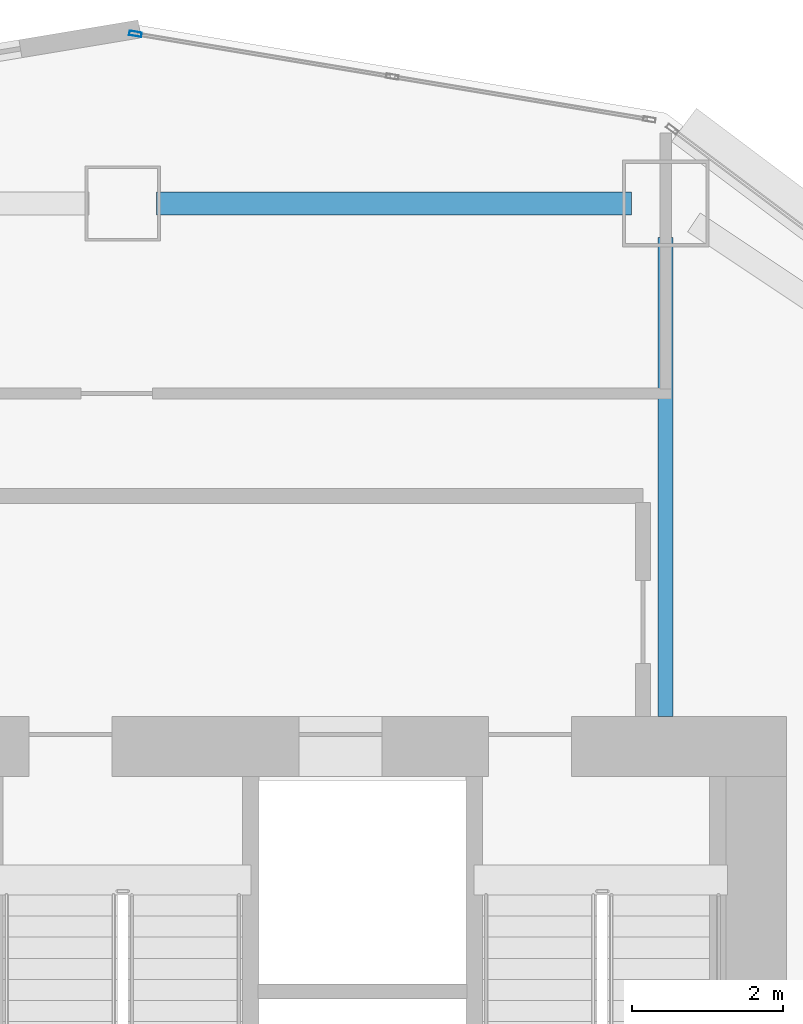
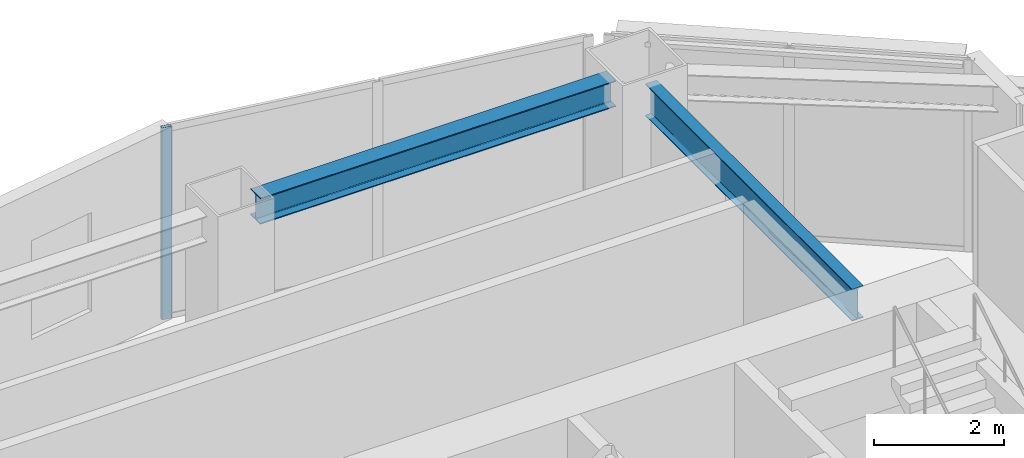
# One storey, part 2 of 17: 2 beams, 1 member, 1 element without a shape of its own.
"""IFC4 building model written with IfcOpenShell, lengths in metres."""

from ifc_helpers import new_model, si_unit, direction, frame, origin, origin_2d, place, context, subcontext, project, spatial, hollow_rectangle, i_section, extrude, material, layer, layer_set, material_profile, profile_set, type_object, element, aggregate, save


model = new_model("IFC4")

# Units and contexts
model_context = context("Model", 3, precision=1e-05, world=origin(), true_north=direction((0.0, 1.0)))
body_context = subcontext(model_context, "Body", "Model", "MODEL_VIEW")
ifc_project = project(units=[si_unit("LENGTHUNIT", "METRE"), si_unit("AREAUNIT", "SQUARE_METRE"), si_unit("VOLUMEUNIT", "CUBIC_METRE"), si_unit("PLANEANGLEUNIT", "RADIAN"), si_unit("MASSUNIT", "GRAM", prefix="KILO")], contexts=[model_context])

# Site, building, storey
site_placement = place(None, origin())
site = spatial("IfcSite", under=ifc_project, at=site_placement, CompositionType="ELEMENT")
building_placement = place(site_placement, origin())
building = spatial("IfcBuilding", under=site, at=building_placement, Name="Haolan Belvedere Tower", CompositionType="ELEMENT")
storey_placement = place(building_placement, frame((0.0, 0.0, 55.199951171875)))
storey = spatial("IfcBuildingStorey", under=building, at=storey_placement, Name="L13", CompositionType="ELEMENT", Elevation=55.199951171875)

# Beams
ifc_material_1 = material(Name="Steel Q355B", Category="steel")
ifc_material_profile_1 = material_profile(ifc_material_1, i_section(OverallWidth=0.300048828125, OverallDepth=0.488037109375, WebThickness=0.010986328125, FlangeThickness=0.01806640625, FilletRadius=0.02587890625, at=origin_2d()), Name="Steel Q355B")
ifc_profile_set_1 = profile_set([ifc_material_profile_1], Name="Steel Q355B")
beam_type_1 = type_object("IfcBeamType", Name="BM-HM488x300x11x18", PredefinedType="SPANDREL", material=ifc_profile_set_1)
beam_1_placement = place(storey_placement, frame((38.85009765625, 50.39990234375, 3.35595703125), z_axis=(1.0, 0.0, 0.0), x_axis=(0.0, 1.0, 0.0)))
element("IfcBeam", 1, at=beam_1_placement, inside=storey, type_object=beam_type_1, Name="L13 spandrel girder TC-T3-NM-MC-T3-N2", PredefinedType="SPANDREL", context=body_context, shape_type="SweptSolid", body=[
    extrude(i_section(OverallWidth=0.300048828125, OverallDepth=0.488037109375, WebThickness=0.010986328125, FlangeThickness=0.01806640625, FilletRadius=0.02587890625, at=origin_2d()), origin(), (0.0, 0.0, 1.0), 6.2998046875),
])
ifc_material_profile_2 = material_profile(ifc_material_1, i_section(OverallWidth=0.199951171875, OverallDepth=0.60009765625, WebThickness=0.010986328125, FlangeThickness=0.01708984375, FilletRadius=0.02197265625, at=origin_2d()), Name="Steel Q355B")
ifc_profile_set_2 = profile_set([ifc_material_profile_2], Name="Steel Q355B")
beam_type_2 = type_object("IfcBeamType", Name="BM-HN600x200x11x17", PredefinedType="BEAM", material=ifc_profile_set_2)
beam_2_placement = place(storey_placement, frame((45.60009765625, 49.949951171875, 3.300048828125), z_axis=(0.0, -1.0, 0.0), x_axis=(1.0, 0.0, 0.0)))
element("IfcBeam", 2, at=beam_2_placement, inside=storey, type_object=beam_type_2, Name="L13 core tie beam from MC-T3-N2", PredefinedType="BEAM", context=body_context, shape_type="SweptSolid", body=[
    extrude(i_section(OverallWidth=0.199951171875, OverallDepth=0.60009765625, WebThickness=0.010986328125, FlangeThickness=0.01708984375, FilletRadius=0.02197265625, at=origin_2d()), origin(), (0.0, 0.0, 1.0), 6.349853515625),
])

# Curtain wall, member
ifc_material_2 = material(Name="Anodised champagne-silver aluminium 6063-T6 and Low-E glass", Category="aluminium")
ifc_layer = layer(ifc_material_2, 0.1650390625, Name="Anodised champagne-silver aluminium 6063-T6 and Low-E glass")
ifc_layer_set = layer_set([ifc_layer], Name="Anodised champagne-silver aluminium 6063-T6 and Low-E glass")
curtain_wall_type = type_object("IfcCurtainWallType", Name="CW-SYS-02", PredefinedType="NOTDEFINED", material=ifc_layer_set)
curtain_wall_placement = place(storey_placement, origin())
curtain_wall = element("IfcCurtainWall", 3, at=curtain_wall_placement, inside=storey, type_object=curtain_wall_type, Name="L13 CW-SYS-02 ribbon curtain wall 42.1", PredefinedType="NOTDEFINED")
ifc_material_3 = material(Name="Anodised aluminium 6063-T6", Category="aluminium")
ifc_material_profile_3 = material_profile(ifc_material_3, hollow_rectangle(XDim=0.06005859375, YDim=0.1650390625, WallThickness=0.00390625, at=origin_2d()), Name="Anodised aluminium 6063-T6")
ifc_profile_set_3 = profile_set([ifc_material_profile_3], Name="Anodised aluminium 6063-T6")
member_type = type_object("IfcMemberType", Name="CW-SYS-02-MUL", PredefinedType="MULLION", material=ifc_profile_set_3)
member_placement = place(storey_placement, frame((38.567626953125, 52.650390625, 0.0), z_axis=(0.0, 0.0, 1.0), x_axis=(-0.16440364043, -0.9863931483, 0.0)))
member = element("IfcMember", 4, at=member_placement, type_object=member_type, Name="CW-02 mullion 3", PredefinedType="MULLION", context=body_context, shape_type="SweptSolid", body=[
    extrude(hollow_rectangle(XDim=0.06005859375, YDim=0.1650390625, WallThickness=0.00390625, at=origin_2d()), origin(), (0.0, 0.0, 1.0), 3.60009765625),
])
aggregate(curtain_wall, [member])

save(model, "model.ifc")
